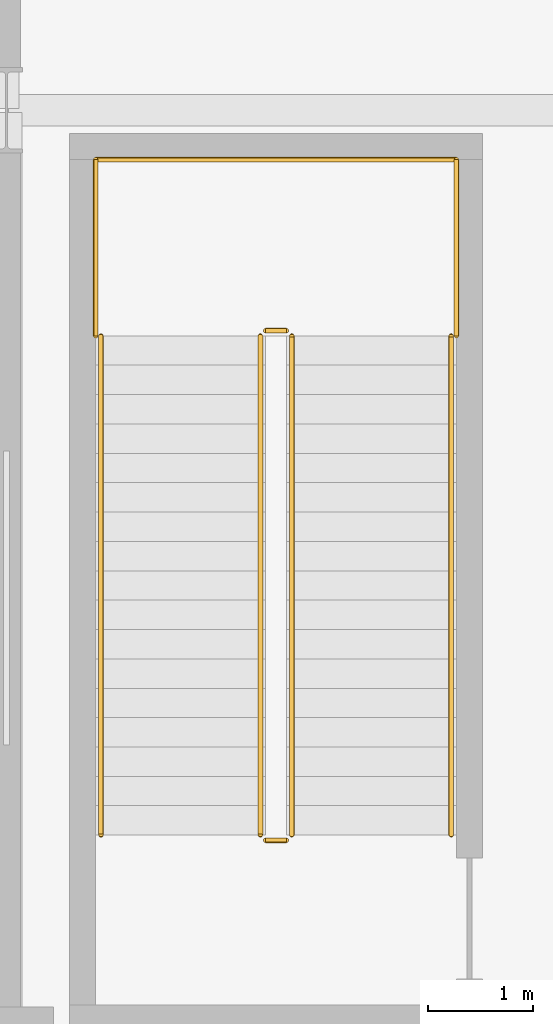
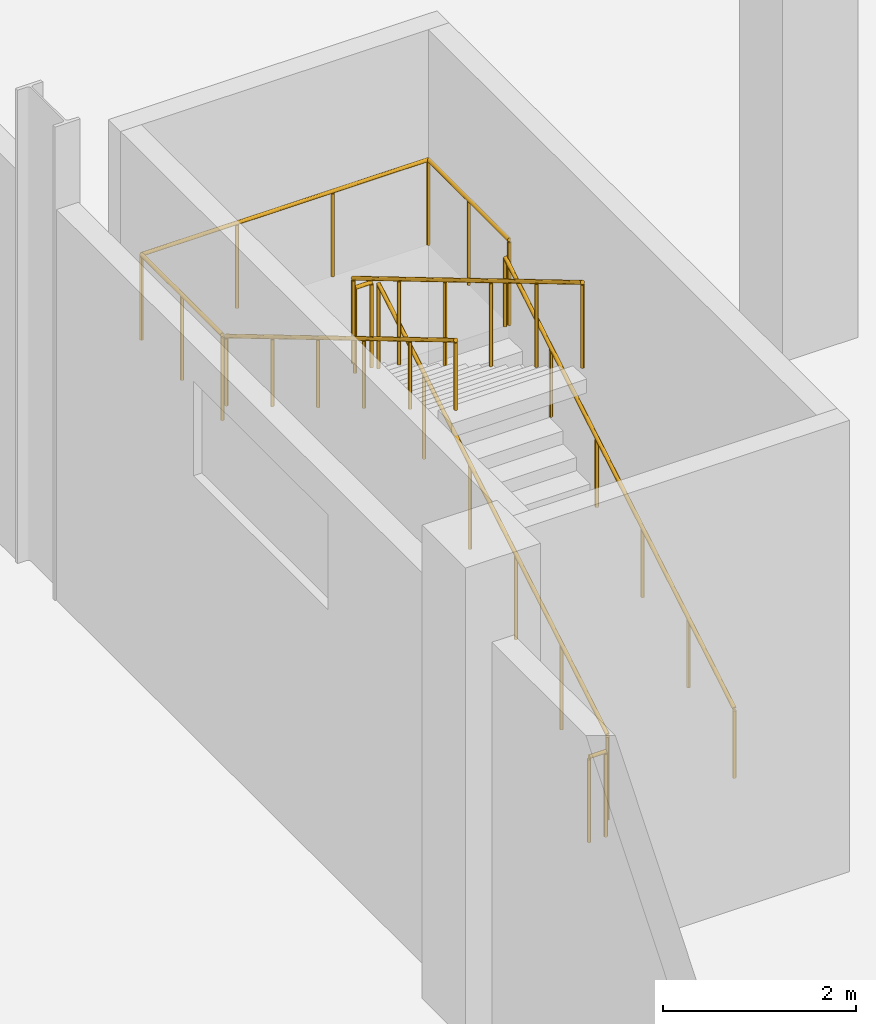
# One storey, part 46 of 58: 9 railings.
"""IFC4 building model written with IfcOpenShell, lengths in metres."""

from ifc_helpers import new_model, si_unit, direction, frame, origin, origin_2d, place, context, subcontext, project, spatial, circle, extrude, material, type_object, element, save


model = new_model("IFC4")

# Units and contexts
model_context = context("Model", 3, precision=1e-05, world=origin(), true_north=direction((0.0, 1.0)))
body_context = subcontext(model_context, "Body", "Model", "MODEL_VIEW")
ifc_project = project(units=[si_unit("LENGTHUNIT", "METRE"), si_unit("AREAUNIT", "SQUARE_METRE"), si_unit("VOLUMEUNIT", "CUBIC_METRE"), si_unit("PLANEANGLEUNIT", "RADIAN"), si_unit("MASSUNIT", "GRAM", prefix="KILO")], contexts=[model_context])

# Site, building, storey
site_placement = place(None, origin())
site = spatial("IfcSite", under=ifc_project, at=site_placement, CompositionType="ELEMENT")
building_placement = place(site_placement, origin())
building = spatial("IfcBuilding", under=site, at=building_placement, Name="Barlavento Convention Centre", CompositionType="ELEMENT")
storey_placement = place(building_placement, origin())
storey = spatial("IfcBuildingStorey", under=building, at=storey_placement, Name="L00", CompositionType="ELEMENT", Elevation=0.0)

# Railings
ifc_material_1 = material(Name="Stainless steel and laminated glass balustrade", Category="steel")
railing_type_1 = type_object("IfcRailingType", Name="ARC-RAL-BAL-1100", PredefinedType="BALUSTRADE", material=ifc_material_1)
railing_1_placement = place(storey_placement, frame((2.719970703125, 92.090087890625, 0.166748046875)))
element("IfcRailing", 1, at=railing_1_placement, inside=storey, type_object=railing_type_1, Name="L00 ST11 stair guard 1", PredefinedType="BALUSTRADE", context=body_context, shape_type="SweptSolid", body=[
    extrude(circle(Radius=0.02392578125, at=origin_2d()), frame((0.0, 0.0, 1.076171875), z_axis=(0.0, 0.859299802514, 0.511472237174), x_axis=(-1.0, 0.0, 0.0)), (0.0, 0.0, 1.0), 5.539306640625),
    extrude(circle(Radius=0.02099609375, at=origin_2d()), origin(), (0.0, 0.0, 1.0), 1.052001953125),
    extrude(circle(Radius=0.02099609375, at=origin_2d()), frame((0.0, 0.951904296875, 0.566650390625)), (0.0, 0.0, 1.0), 1.052001953125),
    extrude(circle(Radius=0.02099609375, at=origin_2d()), frame((0.0, 1.904052734375, 1.13330078125)), (0.0, 0.0, 1.0), 1.052001953125),
    extrude(circle(Radius=0.02099609375, at=origin_2d()), frame((0.0, 2.85595703125, 1.699951171875)), (0.0, 0.0, 1.0), 1.052001953125),
    extrude(circle(Radius=0.02099609375, at=origin_2d()), frame((0.0, 3.80810546875, 2.2666015625)), (0.0, 0.0, 1.0), 1.052001953125),
    extrude(circle(Radius=0.02099609375, at=origin_2d()), frame((0.0, 4.760009765625, 2.833251953125)), (0.0, 0.0, 1.0), 1.052001953125),
])
railing_2_placement = place(storey_placement, frame((2.669921875, 96.89990234375, 3.0)))
element("IfcRailing", 2, at=railing_2_placement, inside=storey, type_object=railing_type_1, Name="L00 ST11 stair guard 2", PredefinedType="BALUSTRADE", context=body_context, shape_type="SweptSolid", body=[
    extrude(circle(Radius=0.02392578125, at=origin_2d()), frame((0.0, 0.0, 1.076171875), z_axis=(-1.0, 0.0, 0.0), x_axis=(0.0, -1.0, 0.0)), (0.0, 0.0, 1.0), 0.199951171875),
    extrude(circle(Radius=0.02099609375, at=origin_2d()), origin(), (0.0, 0.0, 1.0), 1.052001953125),
    extrude(circle(Radius=0.02099609375, at=origin_2d()), frame((-0.199951171875, 0.0, 0.0)), (0.0, 0.0, 1.0), 1.052001953125),
])
railing_3_placement = place(storey_placement, frame((2.419921875, 96.85009765625, 3.166748046875)))
element("IfcRailing", 3, at=railing_3_placement, inside=storey, type_object=railing_type_1, Name="L00 ST11 stair guard 3", PredefinedType="BALUSTRADE", context=body_context, shape_type="SweptSolid", body=[
    extrude(circle(Radius=0.02392578125, at=origin_2d()), frame((0.0, 0.0, 1.076171875), z_axis=(0.0, -0.859299802514, 0.511472237174), x_axis=(1.0, 0.0, 0.0)), (0.0, 0.0, 1.0), 5.539306640625),
    extrude(circle(Radius=0.02099609375, at=origin_2d()), origin(), (0.0, 0.0, 1.0), 1.052001953125),
    extrude(circle(Radius=0.02099609375, at=origin_2d()), frame((0.0, -0.951904296875, 0.566650390625)), (0.0, 0.0, 1.0), 1.052001953125),
    extrude(circle(Radius=0.02099609375, at=origin_2d()), frame((0.0, -1.904052734375, 1.13330078125)), (0.0, 0.0, 1.0), 1.052001953125),
    extrude(circle(Radius=0.02099609375, at=origin_2d()), frame((0.0, -2.85595703125, 1.699951171875)), (0.0, 0.0, 1.0), 1.052001953125),
    extrude(circle(Radius=0.02099609375, at=origin_2d()), frame((0.0, -3.80810546875, 2.2666015625)), (0.0, 0.0, 1.0), 1.052001953125),
    extrude(circle(Radius=0.02099609375, at=origin_2d()), frame((0.0, -4.760009765625, 2.833251953125)), (0.0, 0.0, 1.0), 1.052001953125),
])
railing_4_placement = place(storey_placement, frame((2.669921875, 92.0400390625, 0.0)))
element("IfcRailing", 4, at=railing_4_placement, inside=storey, type_object=railing_type_1, Name="L00 ST11 stair guard 4", PredefinedType="BALUSTRADE", context=body_context, shape_type="SweptSolid", body=[
    extrude(circle(Radius=0.02392578125, at=origin_2d()), frame((0.0, 0.0, 1.076171875), z_axis=(-1.0, 0.0, 0.0), x_axis=(0.0, -1.0, 0.0)), (0.0, 0.0, 1.0), 0.199951171875),
    extrude(circle(Radius=0.02099609375, at=origin_2d()), origin(), (0.0, 0.0, 1.0), 1.052001953125),
    extrude(circle(Radius=0.02099609375, at=origin_2d()), frame((-0.199951171875, 0.0, 0.0)), (0.0, 0.0, 1.0), 1.052001953125),
])
for number, where, name in (
    (5, (4.2900390625, 96.85009765625, 3.0), "L00 landing guard GR01"),
    (6, (0.85009765625, 96.85009765625, 3.0), "L00 landing guard GR01"),
):
    element("IfcRailing", number, at=place(storey_placement, frame(where)), inside=storey, type_object=railing_type_1, Name=name, PredefinedType="BALUSTRADE", context=body_context, shape_type="SweptSolid", body=[
        extrude(circle(Radius=0.02392578125, at=origin_2d()), frame((0.0, 0.0, 1.076171875), z_axis=(0.0, 1.0, 0.0), x_axis=(-1.0, 0.0, 0.0)), (0.0, 0.0, 1.0), 1.679931640625),
        extrude(circle(Radius=0.02099609375, at=origin_2d()), origin(), (0.0, 0.0, 1.0), 1.052001953125),
        extrude(circle(Radius=0.02099609375, at=origin_2d()), frame((0.0, 0.83984375, 0.0)), (0.0, 0.0, 1.0), 1.052001953125),
        extrude(circle(Radius=0.02099609375, at=origin_2d()), frame((0.0, 1.679931640625, 0.0)), (0.0, 0.0, 1.0), 1.052001953125),
    ])
railing_5_placement = place(storey_placement, frame((4.2900390625, 98.530029296875, 3.0)))
element("IfcRailing", 7, at=railing_5_placement, inside=storey, type_object=railing_type_1, Name="L00 landing guard GR01", PredefinedType="BALUSTRADE", context=body_context, shape_type="SweptSolid", body=[
    extrude(circle(Radius=0.02392578125, at=origin_2d()), frame((0.0, 0.0, 1.076171875), z_axis=(-1.0, 0.0, 0.0), x_axis=(0.0, -1.0, 0.0)), (0.0, 0.0, 1.0), 3.43994140625),
    extrude(circle(Radius=0.02099609375, at=origin_2d()), origin(), (0.0, 0.0, 1.0), 1.052001953125),
    extrude(circle(Radius=0.02099609375, at=origin_2d()), frame((-1.146728515625, 0.0, 0.0)), (0.0, 0.0, 1.0), 1.052001953125),
    extrude(circle(Radius=0.02099609375, at=origin_2d()), frame((-2.293212890625, 0.0, 0.0)), (0.0, 0.0, 1.0), 1.052001953125),
    extrude(circle(Radius=0.02099609375, at=origin_2d()), frame((-3.43994140625, 0.0, 0.0)), (0.0, 0.0, 1.0), 1.052001953125),
])
ifc_material_2 = material(Name="Brushed stainless steel tubular handrail", Category="steel")
railing_type_2 = type_object("IfcRailingType", Name="ARC-RAL-HR-900", PredefinedType="HANDRAIL", material=ifc_material_2)
railing_6_placement = place(storey_placement, frame((4.239990234375, 92.090087890625, 0.166748046875)))
element("IfcRailing", 8, at=railing_6_placement, inside=storey, type_object=railing_type_2, Name="L00 ST11 stair handrail 1", PredefinedType="HANDRAIL", context=body_context, shape_type="SweptSolid", body=[
    extrude(circle(Radius=0.02392578125, at=origin_2d()), frame((0.0, 0.0, 0.8759765625), z_axis=(0.0, 0.859299802514, 0.511472237174), x_axis=(-1.0, 0.0, 0.0)), (0.0, 0.0, 1.0), 5.539306640625),
    extrude(circle(Radius=0.02099609375, at=origin_2d()), origin(), (0.0, 0.0, 1.0), 0.851806640625),
    extrude(circle(Radius=0.02099609375, at=origin_2d()), frame((0.0, 0.951904296875, 0.566650390625)), (0.0, 0.0, 1.0), 0.851806640625),
    extrude(circle(Radius=0.02099609375, at=origin_2d()), frame((0.0, 1.904052734375, 1.13330078125)), (0.0, 0.0, 1.0), 0.851806640625),
    extrude(circle(Radius=0.02099609375, at=origin_2d()), frame((0.0, 2.85595703125, 1.699951171875)), (0.0, 0.0, 1.0), 0.851806640625),
    extrude(circle(Radius=0.02099609375, at=origin_2d()), frame((0.0, 3.80810546875, 2.2666015625)), (0.0, 0.0, 1.0), 0.851806640625),
    extrude(circle(Radius=0.02099609375, at=origin_2d()), frame((0.0, 4.760009765625, 2.833251953125)), (0.0, 0.0, 1.0), 0.851806640625),
])
railing_7_placement = place(storey_placement, frame((0.89990234375, 96.85009765625, 3.166748046875)))
element("IfcRailing", 9, at=railing_7_placement, inside=storey, type_object=railing_type_2, Name="L00 ST11 stair handrail 2", PredefinedType="HANDRAIL", context=body_context, shape_type="SweptSolid", body=[
    extrude(circle(Radius=0.02392578125, at=origin_2d()), frame((0.0, 0.0, 0.8759765625), z_axis=(0.0, -0.859299802514, 0.511472237174), x_axis=(1.0, 0.0, 0.0)), (0.0, 0.0, 1.0), 5.539306640625),
    extrude(circle(Radius=0.02099609375, at=origin_2d()), origin(), (0.0, 0.0, 1.0), 0.851806640625),
    extrude(circle(Radius=0.02099609375, at=origin_2d()), frame((0.0, -0.951904296875, 0.566650390625)), (0.0, 0.0, 1.0), 0.851806640625),
    extrude(circle(Radius=0.02099609375, at=origin_2d()), frame((0.0, -1.904052734375, 1.13330078125)), (0.0, 0.0, 1.0), 0.851806640625),
    extrude(circle(Radius=0.02099609375, at=origin_2d()), frame((0.0, -2.85595703125, 1.699951171875)), (0.0, 0.0, 1.0), 0.851806640625),
    extrude(circle(Radius=0.02099609375, at=origin_2d()), frame((0.0, -3.80810546875, 2.2666015625)), (0.0, 0.0, 1.0), 0.851806640625),
    extrude(circle(Radius=0.02099609375, at=origin_2d()), frame((0.0, -4.760009765625, 2.833251953125)), (0.0, 0.0, 1.0), 0.851806640625),
])

save(model, "model.ifc")
